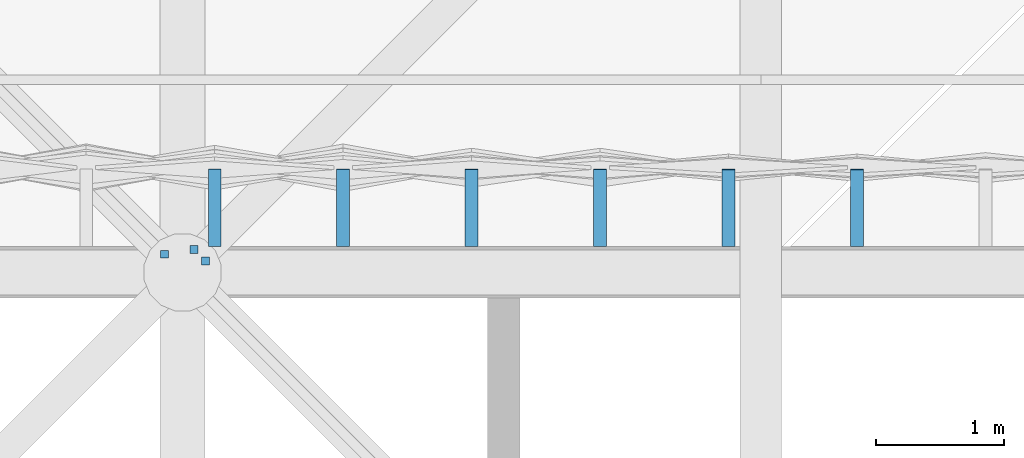
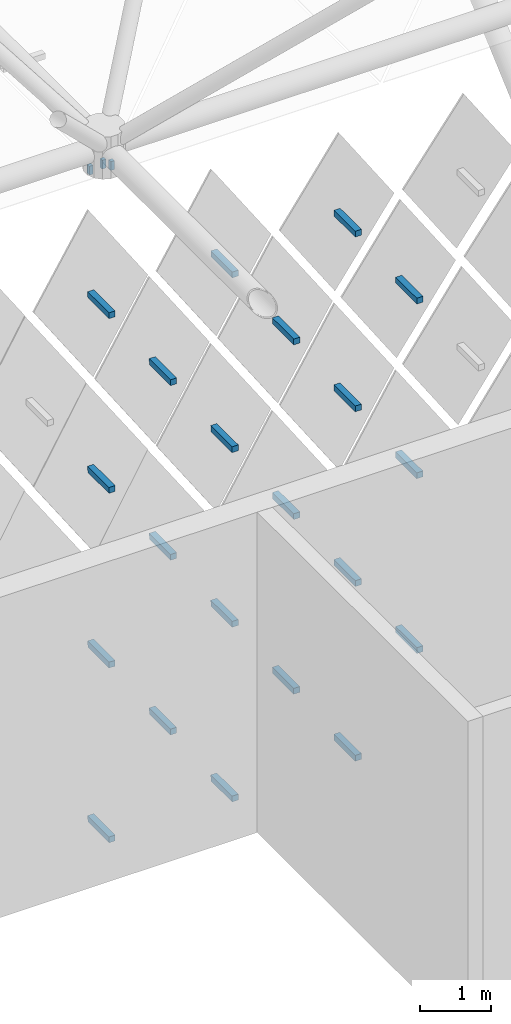
# One storey, part 387 of 437: 24 discrete accessories.
"""IFC4 building model written with IfcOpenShell, lengths in metres."""

from ifc_helpers import new_model, si_unit, direction, frame, origin, place, context, subcontext, project, spatial, polyline, outline, extrude, material, type_object, element, save


model = new_model("IFC4")

# Units and contexts
model_context = context("Model", 3, precision=1e-05, world=origin(), true_north=direction((0.0, 1.0)))
body_context = subcontext(model_context, "Body", "Model", "MODEL_VIEW")
ifc_project = project(units=[si_unit("LENGTHUNIT", "METRE"), si_unit("AREAUNIT", "SQUARE_METRE"), si_unit("VOLUMEUNIT", "CUBIC_METRE"), si_unit("PLANEANGLEUNIT", "RADIAN"), si_unit("MASSUNIT", "GRAM", prefix="KILO")], contexts=[model_context])

# Site, building, storey
site_placement = place(None, origin())
site = spatial("IfcSite", under=ifc_project, at=site_placement, CompositionType="ELEMENT")
building_placement = place(site_placement, origin())
building = spatial("IfcBuilding", under=site, at=building_placement, Name="Opaline Strait Convention Centre", CompositionType="ELEMENT")
storey_placement = place(building_placement, frame((0.0, 0.0, 11.5)))
storey = spatial("IfcBuildingStorey", under=building, at=storey_placement, Name="L02", CompositionType="ELEMENT", Elevation=11.5)

# Discrete accessories
ifc_material = material(Name="Steel Q355B", Category="steel")
discrete_accessory_type_1 = type_object("IfcDiscreteAccessoryType", Name="Soffit hanger 60x60 steel", PredefinedType="BRACKET", material=ifc_material)
discrete_accessory_1_placement = place(storey_placement, frame((0.0, 0.0, 11.990234375)))
element("IfcDiscreteAccessory", 1, at=discrete_accessory_1_placement, inside=storey, type_object=discrete_accessory_type_1, Name="Soffit hanger", PredefinedType="BRACKET", context=body_context, shape_type="SweptSolid", body=[
    extrude(outline(polyline([(143.82861328125, 153.111328125), (143.888671875, 153.111328125), (143.888671875, 153.17138671875), (143.82861328125, 153.17138671875), (143.82861328125, 153.111328125)])), origin(), (0.0, 0.0, 1.0), 0.149658203125),
])
discrete_accessory_2_placement = place(storey_placement, frame((0.0, 0.0, 11.989990234375)))
element("IfcDiscreteAccessory", 2, at=discrete_accessory_2_placement, inside=storey, type_object=discrete_accessory_type_1, Name="Soffit hanger", PredefinedType="BRACKET", context=body_context, shape_type="SweptSolid", body=[
    extrude(outline(polyline([(144.14892578125, 153.059326171875), (144.208984375, 153.059326171875), (144.208984375, 153.119140625), (144.14892578125, 153.119140625), (144.14892578125, 153.059326171875)])), origin(), (0.0, 0.0, 1.0), 0.14990234375),
])
discrete_accessory_3_placement = place(storey_placement, frame((0.0, 0.0, 11.990234375)))
element("IfcDiscreteAccessory", 3, at=discrete_accessory_3_placement, inside=storey, type_object=discrete_accessory_type_1, Name="Soffit hanger", PredefinedType="BRACKET", context=body_context, shape_type="SweptSolid", body=[
    extrude(outline(polyline([(144.059326171875, 153.14892578125), (144.119140625, 153.14892578125), (144.119140625, 153.208984375), (144.059326171875, 153.208984375), (144.059326171875, 153.14892578125)])), origin(), (0.0, 0.0, 1.0), 0.149658203125),
])
discrete_accessory_type_2 = type_object("IfcDiscreteAccessoryType", Name="Tile bracket 100x100 steel", PredefinedType="BRACKET", material=ifc_material)
discrete_accessory_4_placement = place(storey_placement, frame((148.300048828125, 153.199951171875, 0.39208984375), z_axis=(-1.0, 0.0, 0.0), x_axis=(0.0, -1.0, 0.0)))
element("IfcDiscreteAccessory", 4, at=discrete_accessory_4_placement, inside=storey, type_object=discrete_accessory_type_2, Name="Tile bracket XT11 N", PredefinedType="BRACKET", context=body_context, shape_type="SweptSolid", body=[
    extrude(outline(polyline([(0.0, -0.050048828125), (0.0, 0.050048828125), (-0.604736328125, 0.050048828125), (-0.59521484375, -0.050048828125), (0.0, -0.050048828125)])), origin(), (0.0, 0.0, 1.0), 0.10009765625),
])
for number, where, z_axis, x_axis, name in (
    (5, (146.300048828125, 153.199951171875, 0.39208984375), (-1.0, 0.0, 0.0), (0.0, -1.0, 0.0), "Tile bracket XT14 N"),
    (6, (144.300048828125, 153.199951171875, 0.39208984375), (-1.0, 0.0, 0.0), (0.0, -1.0, 0.0), "Tile bracket XT14 N"),
):
    element("IfcDiscreteAccessory", number, at=place(storey_placement, frame(where, z_axis=z_axis, x_axis=x_axis)), inside=storey, type_object=discrete_accessory_type_2, Name=name, PredefinedType="BRACKET", context=body_context, shape_type="SweptSolid", body=[
        extrude(outline(polyline([(0.0, -0.050048828125), (0.0, 0.050048828125), (-0.606201171875, 0.050048828125), (-0.59375, -0.050048828125), (0.0, -0.050048828125)])), origin(), (0.0, 0.0, 1.0), 0.10009765625),
    ])
discrete_accessory_5_placement = place(storey_placement, frame((149.300048828125, 153.199951171875, 1.89208984375), z_axis=(-1.0, 0.0, 0.0), x_axis=(0.0, -1.0, 0.0)))
element("IfcDiscreteAccessory", 7, at=discrete_accessory_5_placement, inside=storey, type_object=discrete_accessory_type_2, Name="Tile bracket XT07 N", PredefinedType="BRACKET", context=body_context, shape_type="SweptSolid", body=[
    extrude(outline(polyline([(0.0, -0.050048828125), (0.0, 0.050048828125), (-0.60302734375, 0.050048828125), (-0.596923828125, -0.050048828125), (0.0, -0.050048828125)])), origin(), (0.0, 0.0, 1.0), 0.10009765625),
])
discrete_accessory_6_placement = place(storey_placement, frame((147.300048828125, 153.199951171875, 1.89208984375), z_axis=(-1.0, 0.0, 0.0), x_axis=(0.0, -1.0, 0.0)))
element("IfcDiscreteAccessory", 8, at=discrete_accessory_6_placement, inside=storey, type_object=discrete_accessory_type_2, Name="Tile bracket XT11 N", PredefinedType="BRACKET", context=body_context, shape_type="SweptSolid", body=[
    extrude(outline(polyline([(0.0, -0.050048828125), (0.0, 0.050048828125), (-0.604736328125, 0.050048828125), (-0.59521484375, -0.050048828125), (0.0, -0.050048828125)])), origin(), (0.0, 0.0, 1.0), 0.10009765625),
])
discrete_accessory_7_placement = place(storey_placement, frame((145.300048828125, 153.199951171875, 1.89208984375), z_axis=(-1.0, 0.0, 0.0), x_axis=(0.0, -1.0, 0.0)))
element("IfcDiscreteAccessory", 9, at=discrete_accessory_7_placement, inside=storey, type_object=discrete_accessory_type_2, Name="Tile bracket XT14 N", PredefinedType="BRACKET", context=body_context, shape_type="SweptSolid", body=[
    extrude(outline(polyline([(0.0, -0.050048828125), (0.0, 0.050048828125), (-0.606201171875, 0.050048828125), (-0.59375, -0.050048828125), (0.0, -0.050048828125)])), origin(), (0.0, 0.0, 1.0), 0.10009765625),
])
discrete_accessory_8_placement = place(storey_placement, frame((148.300048828125, 153.199951171875, 3.39208984375), z_axis=(-1.0, 0.0, 0.0), x_axis=(0.0, -1.0, 0.0)))
element("IfcDiscreteAccessory", 10, at=discrete_accessory_8_placement, inside=storey, type_object=discrete_accessory_type_2, Name="Tile bracket XT07 N", PredefinedType="BRACKET", context=body_context, shape_type="SweptSolid", body=[
    extrude(outline(polyline([(0.0, -0.050048828125), (0.0, 0.050048828125), (-0.60302734375, 0.050048828125), (-0.596923828125, -0.050048828125), (0.0, -0.050048828125)])), origin(), (0.0, 0.0, 1.0), 0.10009765625),
])
discrete_accessory_9_placement = place(storey_placement, frame((146.300048828125, 153.199951171875, 3.39208984375), z_axis=(-1.0, 0.0, 0.0), x_axis=(0.0, -1.0, 0.0)))
element("IfcDiscreteAccessory", 11, at=discrete_accessory_9_placement, inside=storey, type_object=discrete_accessory_type_2, Name="Tile bracket XT11 N", PredefinedType="BRACKET", context=body_context, shape_type="SweptSolid", body=[
    extrude(outline(polyline([(0.0, -0.050048828125), (0.0, 0.050048828125), (-0.604736328125, 0.050048828125), (-0.59521484375, -0.050048828125), (0.0, -0.050048828125)])), origin(), (0.0, 0.0, 1.0), 0.10009765625),
])
discrete_accessory_10_placement = place(storey_placement, frame((144.300048828125, 153.199951171875, 3.39208984375), z_axis=(-1.0, 0.0, 0.0), x_axis=(0.0, -1.0, 0.0)))
element("IfcDiscreteAccessory", 12, at=discrete_accessory_10_placement, inside=storey, type_object=discrete_accessory_type_2, Name="Tile bracket XT13 N", PredefinedType="BRACKET", context=body_context, shape_type="SweptSolid", body=[
    extrude(outline(polyline([(0.0, -0.050048828125), (0.0, 0.050048828125), (-0.605712890625, 0.050048828125), (-0.59423828125, -0.050048828125), (0.0, -0.050048828125)])), origin(), (0.0, 0.0, 1.0), 0.10009765625),
])
discrete_accessory_11_placement = place(storey_placement, frame((149.300048828125, 153.199951171875, 4.89208984375), z_axis=(-1.0, 0.0, 0.0), x_axis=(0.0, -1.0, 0.0)))
element("IfcDiscreteAccessory", 13, at=discrete_accessory_11_placement, inside=storey, type_object=discrete_accessory_type_2, Name="Tile bracket XT05 N", PredefinedType="BRACKET", context=body_context, shape_type="SweptSolid", body=[
    extrude(outline(polyline([(0.0, -0.050048828125), (0.0, 0.050048828125), (-0.602294921875, 0.050048828125), (-0.597900390625, -0.050048828125), (0.0, -0.050048828125)])), origin(), (0.0, 0.0, 1.0), 0.10009765625),
])
discrete_accessory_12_placement = place(storey_placement, frame((147.300048828125, 153.199951171875, 4.89208984375), z_axis=(-1.0, 0.0, 0.0), x_axis=(0.0, -1.0, 0.0)))
element("IfcDiscreteAccessory", 14, at=discrete_accessory_12_placement, inside=storey, type_object=discrete_accessory_type_2, Name="Tile bracket XT06 N", PredefinedType="BRACKET", context=body_context, shape_type="SweptSolid", body=[
    extrude(outline(polyline([(0.0, -0.050048828125), (0.0, 0.050048828125), (-0.6025390625, 0.050048828125), (-0.597412109375, -0.050048828125), (0.0, -0.050048828125)])), origin(), (0.0, 0.0, 1.0), 0.10009765625),
])
discrete_accessory_13_placement = place(storey_placement, frame((145.300048828125, 153.199951171875, 4.89208984375), z_axis=(-1.0, 0.0, 0.0), x_axis=(0.0, -1.0, 0.0)))
element("IfcDiscreteAccessory", 15, at=discrete_accessory_13_placement, inside=storey, type_object=discrete_accessory_type_2, Name="Tile bracket XT11 N", PredefinedType="BRACKET", context=body_context, shape_type="SweptSolid", body=[
    extrude(outline(polyline([(0.0, -0.050048828125), (0.0, 0.050048828125), (-0.604736328125, 0.050048828125), (-0.59521484375, -0.050048828125), (0.0, -0.050048828125)])), origin(), (0.0, 0.0, 1.0), 0.10009765625),
])
discrete_accessory_14_placement = place(storey_placement, frame((148.300048828125, 153.199951171875, 6.39208984375), z_axis=(-1.0, 0.0, 0.0), x_axis=(0.0, -1.0, 0.0)))
element("IfcDiscreteAccessory", 16, at=discrete_accessory_14_placement, inside=storey, type_object=discrete_accessory_type_2, Name="Tile bracket XT05 N", PredefinedType="BRACKET", context=body_context, shape_type="SweptSolid", body=[
    extrude(outline(polyline([(0.0, -0.050048828125), (0.0, 0.050048828125), (-0.602294921875, 0.050048828125), (-0.597900390625, -0.050048828125), (0.0, -0.050048828125)])), origin(), (0.0, 0.0, 1.0), 0.10009765625),
])
discrete_accessory_15_placement = place(storey_placement, frame((146.300048828125, 153.199951171875, 6.39208984375), z_axis=(-1.0, 0.0, 0.0), x_axis=(0.0, -1.0, 0.0)))
element("IfcDiscreteAccessory", 17, at=discrete_accessory_15_placement, inside=storey, type_object=discrete_accessory_type_2, Name="Tile bracket XT06 N", PredefinedType="BRACKET", context=body_context, shape_type="SweptSolid", body=[
    extrude(outline(polyline([(0.0, -0.050048828125), (0.0, 0.050048828125), (-0.6025390625, 0.050048828125), (-0.597412109375, -0.050048828125), (0.0, -0.050048828125)])), origin(), (0.0, 0.0, 1.0), 0.10009765625),
])
discrete_accessory_16_placement = place(storey_placement, frame((144.300048828125, 153.199951171875, 6.39208984375), z_axis=(-1.0, 0.0, 0.0), x_axis=(0.0, -1.0, 0.0)))
element("IfcDiscreteAccessory", 18, at=discrete_accessory_16_placement, inside=storey, type_object=discrete_accessory_type_2, Name="Tile bracket XT10 N", PredefinedType="BRACKET", context=body_context, shape_type="SweptSolid", body=[
    extrude(outline(polyline([(0.0, -0.050048828125), (0.0, 0.050048828125), (-0.604248046875, 0.050048828125), (-0.595703125, -0.050048828125), (0.0, -0.050048828125)])), origin(), (0.0, 0.0, 1.0), 0.10009765625),
])
discrete_accessory_17_placement = place(storey_placement, frame((149.300048828125, 153.199951171875, 7.89208984375), z_axis=(-1.0, 0.0, 0.0), x_axis=(0.0, -1.0, 0.0)))
element("IfcDiscreteAccessory", 19, at=discrete_accessory_17_placement, inside=storey, type_object=discrete_accessory_type_2, Name="Tile bracket XT05 N", PredefinedType="BRACKET", context=body_context, shape_type="SweptSolid", body=[
    extrude(outline(polyline([(0.0, -0.050048828125), (0.0, 0.050048828125), (-0.597900390625, 0.050048828125), (-0.602294921875, -0.050048828125), (0.0, -0.050048828125)])), origin(), (0.0, 0.0, 1.0), 0.10009765625),
])
discrete_accessory_18_placement = place(storey_placement, frame((147.300048828125, 153.199951171875, 7.89208984375), z_axis=(-1.0, 0.0, 0.0), x_axis=(0.0, -1.0, 0.0)))
element("IfcDiscreteAccessory", 20, at=discrete_accessory_18_placement, inside=storey, type_object=discrete_accessory_type_2, Name="Tile bracket XT05 N", PredefinedType="BRACKET", context=body_context, shape_type="SweptSolid", body=[
    extrude(outline(polyline([(0.0, -0.050048828125), (0.0, 0.050048828125), (-0.602294921875, 0.050048828125), (-0.597900390625, -0.050048828125), (0.0, -0.050048828125)])), origin(), (0.0, 0.0, 1.0), 0.10009765625),
])
discrete_accessory_19_placement = place(storey_placement, frame((145.300048828125, 153.199951171875, 7.89208984375), z_axis=(-1.0, 0.0, 0.0), x_axis=(0.0, -1.0, 0.0)))
element("IfcDiscreteAccessory", 21, at=discrete_accessory_19_placement, inside=storey, type_object=discrete_accessory_type_2, Name="Tile bracket XT06 N", PredefinedType="BRACKET", context=body_context, shape_type="SweptSolid", body=[
    extrude(outline(polyline([(0.0, -0.050048828125), (0.0, 0.050048828125), (-0.6025390625, 0.050048828125), (-0.597412109375, -0.050048828125), (0.0, -0.050048828125)])), origin(), (0.0, 0.0, 1.0), 0.10009765625),
])
discrete_accessory_20_placement = place(storey_placement, frame((148.300048828125, 153.199951171875, 9.39208984375), z_axis=(-1.0, 0.0, 0.0), x_axis=(0.0, -1.0, 0.0)))
element("IfcDiscreteAccessory", 22, at=discrete_accessory_20_placement, inside=storey, type_object=discrete_accessory_type_2, Name="Tile bracket XT05 N", PredefinedType="BRACKET", context=body_context, shape_type="SweptSolid", body=[
    extrude(outline(polyline([(0.0, -0.050048828125), (0.0, 0.050048828125), (-0.597900390625, 0.050048828125), (-0.602294921875, -0.050048828125), (0.0, -0.050048828125)])), origin(), (0.0, 0.0, 1.0), 0.10009765625),
])
for number, where, z_axis, x_axis, name in (
    (23, (146.300048828125, 153.199951171875, 9.39208984375), (-1.0, 0.0, 0.0), (0.0, -1.0, 0.0), "Tile bracket XT05 N"),
    (24, (144.300048828125, 153.199951171875, 9.39208984375), (-1.0, 0.0, 0.0), (0.0, -1.0, 0.0), "Tile bracket XT05 N"),
):
    element("IfcDiscreteAccessory", number, at=place(storey_placement, frame(where, z_axis=z_axis, x_axis=x_axis)), inside=storey, type_object=discrete_accessory_type_2, Name=name, PredefinedType="BRACKET", context=body_context, shape_type="SweptSolid", body=[
        extrude(outline(polyline([(0.0, -0.050048828125), (0.0, 0.050048828125), (-0.602294921875, 0.050048828125), (-0.597900390625, -0.050048828125), (0.0, -0.050048828125)])), origin(), (0.0, 0.0, 1.0), 0.10009765625),
    ])

save(model, "model.ifc")
